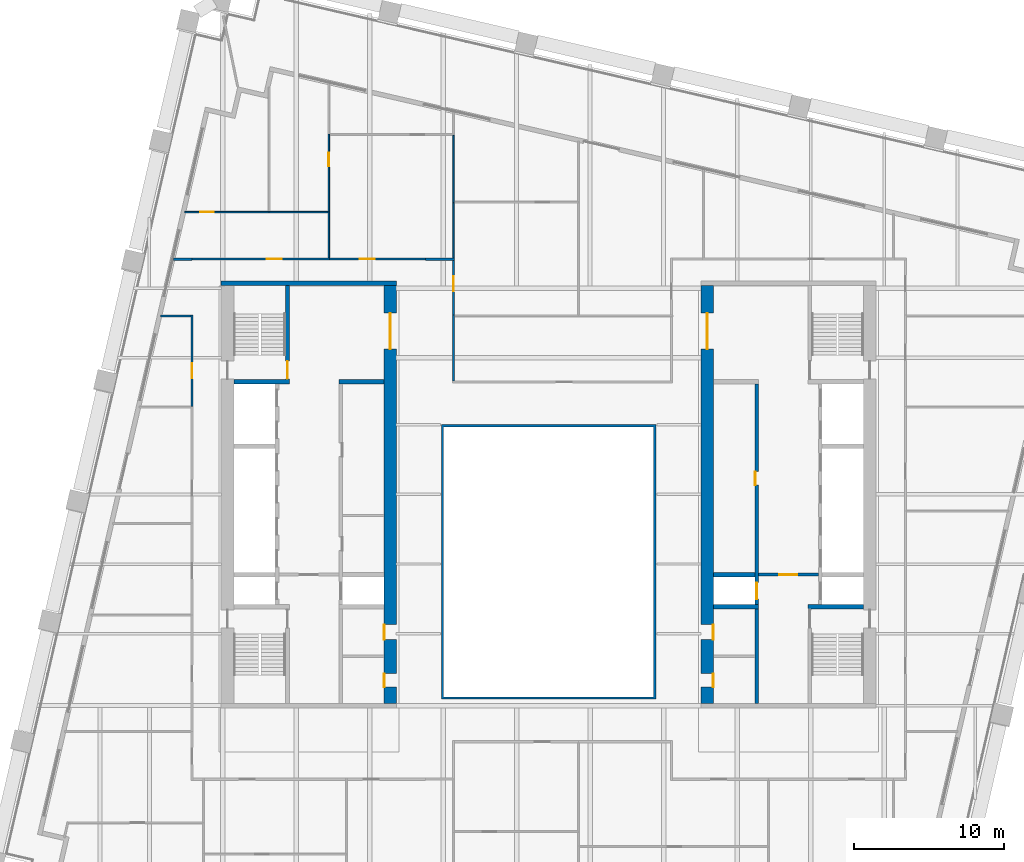
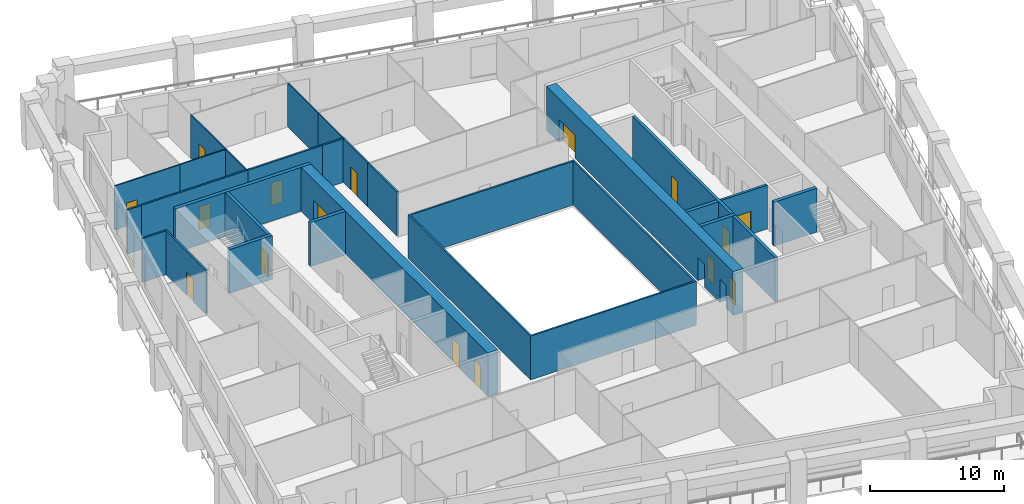
# One storey, part 7 of 12: 26 walls, 16 doors, 16 openings.
"""IFC4 building model written with IfcOpenShell, lengths in metres."""

from ifc_helpers import new_model, si_unit, direction, frame, frame_2d, origin, place, context, subcontext, project, spatial, polyline, rectangle, outline, extrude, material, layer, layer_set, type_object, element, fill, save


model = new_model("IFC4")

# Units and contexts
model_context = context("Model", 3, precision=1e-05, world=origin(), true_north=direction((0.0, 1.0)))
body_context = subcontext(model_context, "Body", "Model", "MODEL_VIEW")
ifc_project = project(units=[si_unit("LENGTHUNIT", "METRE"), si_unit("AREAUNIT", "SQUARE_METRE"), si_unit("VOLUMEUNIT", "CUBIC_METRE"), si_unit("PLANEANGLEUNIT", "RADIAN"), si_unit("MASSUNIT", "GRAM", prefix="KILO")], contexts=[model_context])

# Site, building, storey
site_placement = place(None, origin())
site = spatial("IfcSite", under=ifc_project, at=site_placement, CompositionType="ELEMENT")
building_placement = place(site_placement, origin())
building = spatial("IfcBuilding", under=site, at=building_placement, Name="Ogive Exchange Tower", CompositionType="ELEMENT")
storey_placement = place(building_placement, frame((0.0, 0.0, 130.800048828125)))
storey = spatial("IfcBuildingStorey", under=building, at=storey_placement, Name="L28", CompositionType="ELEMENT", Elevation=130.800048828125)

# Walls
ifc_material_1 = material(Name="Gypsum board partition")
ifc_layer_1 = layer(ifc_material_1, 0.300048828125)
ifc_layer_set_1 = layer_set([ifc_layer_1], Name="Core room partition 300 gypsum")
wall_type_1 = type_object("IfcWallType", Name="Core room partition 300 gypsum", PredefinedType="PARTITIONING", material=ifc_layer_set_1)
wall_1_placement = place(storey_placement, frame((-14.0, 19.0, 0.0), z_axis=(0.0, 0.0, 1.0), x_axis=(1.0, 0.0, 0.0)))
element("IfcWall", 1, at=wall_1_placement, inside=storey, type_object=wall_type_1, Name="W row B room end wall 7", PredefinedType="PARTITIONING", context=body_context, shape_type="SweptSolid", body=[
    extrude(rectangle(XDim=3.0, YDim=0.300048828125, at=frame_2d((1.5, 0.0))), origin(), (0.0, 0.0, 1.0), 4.0),
])
ifc_material_2 = material(Name="Fire partition EI 60 150")
ifc_layer_2 = layer(ifc_material_2, 0.14990234375)
ifc_layer_set_2 = layer_set([ifc_layer_2], Name="Fire partition EI 60 150")
wall_type_2 = type_object("IfcWallType", Name="Fire partition EI 60 150", PredefinedType="PARTITIONING", material=ifc_layer_set_2)
wall_2_placement = place(storey_placement, frame((-25.01708984375, 27.18994140625, 0.0), z_axis=(0.0, 0.0, 1.0), x_axis=(1.0, 0.0, 0.0)))
element("IfcWall", 2, at=wall_2_placement, inside=storey, type_object=wall_type_2, Name="L28-PWL-002", PredefinedType="PARTITIONING", context=body_context, shape_type="SweptSolid", body=[
    extrude(rectangle(XDim=1.217041015625, YDim=0.14990234375, at=frame_2d((0.6083984375, 0.0))), origin(), (0.0, 0.0, 1.0), 4.0),
])

# Wall, opening, door
wall_3_placement = place(storey_placement, frame((-23.800048828125, 17.3701171875, 0.0), z_axis=(0.0, 0.0, 1.0), x_axis=(0.0, 1.0, 0.0)))
wall_3 = element("IfcWall", 3, at=wall_3_placement, inside=storey, type_object=wall_type_2, Name="L28-PWL-011", PredefinedType="PARTITIONING", context=body_context, shape_type="SweptSolid", body=[
    extrude(rectangle(XDim=6.114990234375, YDim=0.14990234375, at=frame_2d((3.0576171875, 0.0))), origin(), (0.0, 0.0, 1.0), 4.0),
])
opening_1_placement = place(wall_3_placement, frame((1.889892578125, 0.0, 0.0)))
opening_1 = element("IfcOpeningElement", 4, at=opening_1_placement, cuts=wall_3, Name="Opening L28-I23", PredefinedType="OPENING", context=body_context, shape_type="SweptSolid", body=[
    extrude(rectangle(XDim=1.0, YDim=2.10009765625, at=frame_2d((0.5, 1.050048828125))), frame((0.0, 0.0849609375, 0.0), z_axis=(0.0, -1.0, 0.0), x_axis=(1.0, 0.0, 0.0)), (0.0, 0.0, 1.0), 0.169921875),
])
ifc_material_3 = material(Name="Fire door FD 30S 1000 x 2100")
door_type_1 = type_object("IfcDoorType", Name="Fire door FD 30S 1000 x 2100", OperationType="NOTDEFINED", PredefinedType="DOOR", material=ifc_material_3)
door_1_placement = place(opening_1_placement, origin())
door_1 = element("IfcDoor", 5, at=door_1_placement, inside=storey, type_object=door_type_1, Name="L28-IDR-023", ObjectType="DT3", OperationType="SINGLE_SWING_RIGHT", OverallHeight=2.10009765625, OverallWidth=1.0, PredefinedType="DOOR", context=body_context, shape_type="SweptSolid", body=[
    extrude(rectangle(XDim=1.0, YDim=2.10009765625, at=frame_2d((0.5, 1.050048828125))), frame((0.0, 0.02490234375, 0.0), z_axis=(0.0, -1.0, 0.0), x_axis=(1.0, 0.0, 0.0)), (0.0, 0.0, 1.0), 0.050048828125),
])
fill(opening_1, door_1)

# Wall
wall_4_placement = place(storey_placement, frame((-23.875, 23.409912109375, 0.0), z_axis=(0.0, 0.0, 1.0), x_axis=(-1.0, 0.0, 0.0)))
element("IfcWall", 6, at=wall_4_placement, inside=storey, type_object=wall_type_2, Name="L28-PWL-012", PredefinedType="PARTITIONING", context=body_context, shape_type="SweptSolid", body=[
    extrude(rectangle(XDim=2.014892578125, YDim=0.14990234375, at=frame_2d((1.00732421875, 0.0))), origin(), (0.0, 0.0, 1.0), 4.0),
])

# Wall, opening, door
wall_5_placement = place(storey_placement, frame((-23.800048828125, 27.199951171875, 0.0), z_axis=(0.0, 0.0, 1.0), x_axis=(1.0, 0.0, 0.0)))
wall_5 = element("IfcWall", 7, at=wall_5_placement, inside=storey, type_object=wall_type_2, Name="L28-PWL-013", PredefinedType="PARTITIONING", context=body_context, shape_type="SweptSolid", body=[
    extrude(rectangle(XDim=9.179931640625, YDim=0.14990234375, at=frame_2d((4.58984375, 0.0))), origin(), (0.0, 0.0, 1.0), 4.0),
])
opening_2_placement = place(wall_5_placement, frame((4.97998046875, 0.0, 0.0)))
opening_2 = element("IfcOpeningElement", 8, at=opening_2_placement, cuts=wall_5, Name="Opening L28-I22", PredefinedType="OPENING", context=body_context, shape_type="SweptSolid", body=[
    extrude(rectangle(XDim=1.0, YDim=2.10009765625, at=frame_2d((0.5, 1.050048828125))), frame((0.0, 0.0849609375, 0.0), z_axis=(0.0, -1.0, 0.0), x_axis=(1.0, 0.0, 0.0)), (0.0, 0.0, 1.0), 0.169921875),
])
door_2_placement = place(opening_2_placement, origin())
door_2 = element("IfcDoor", 9, at=door_2_placement, inside=storey, type_object=door_type_1, Name="L28-IDR-022", ObjectType="DT3", OperationType="SINGLE_SWING_LEFT", OverallHeight=2.10009765625, OverallWidth=1.0, PredefinedType="DOOR", context=body_context, shape_type="SweptSolid", body=[
    extrude(rectangle(XDim=1.0, YDim=2.10009765625, at=frame_2d((0.5, 1.050048828125))), frame((0.0, 0.02490234375, 0.0), z_axis=(0.0, -1.0, 0.0), x_axis=(1.0, 0.0, 0.0)), (0.0, 0.0, 1.0), 0.050048828125),
])
fill(opening_2, door_2)

wall_6_placement = place(storey_placement, frame((-14.6201171875, 27.199951171875, 0.0), z_axis=(0.0, 0.0, 1.0), x_axis=(1.0, 0.0, 0.0)))
wall_6 = element("IfcWall", 10, at=wall_6_placement, inside=storey, type_object=wall_type_2, Name="L28-PWL-026", PredefinedType="PARTITIONING", context=body_context, shape_type="SweptSolid", body=[
    extrude(rectangle(XDim=6.420166015625, YDim=0.14990234375, at=frame_2d((3.2099609375, 0.0))), origin(), (0.0, 0.0, 1.0), 4.0),
])
opening_3_placement = place(wall_6_placement, frame((2.02001953125, 0.0, 0.0)))
opening_3 = element("IfcOpeningElement", 11, at=opening_3_placement, cuts=wall_6, Name="Opening L28-I18", PredefinedType="OPENING", context=body_context, shape_type="SweptSolid", body=[
    extrude(rectangle(XDim=1.0, YDim=2.10009765625, at=frame_2d((0.5, 1.050048828125))), frame((0.0, 0.0849609375, 0.0), z_axis=(0.0, -1.0, 0.0), x_axis=(1.0, 0.0, 0.0)), (0.0, 0.0, 1.0), 0.169921875),
])
door_3_placement = place(opening_3_placement, origin())
door_3 = element("IfcDoor", 12, at=door_3_placement, inside=storey, type_object=door_type_1, Name="L28-IDR-018", ObjectType="DT3", OperationType="SINGLE_SWING_RIGHT", OverallHeight=2.10009765625, OverallWidth=1.0, PredefinedType="DOOR", context=body_context, shape_type="SweptSolid", body=[
    extrude(rectangle(XDim=1.0, YDim=2.10009765625, at=frame_2d((0.5, 1.050048828125))), frame((0.0, 0.02490234375, 0.0), z_axis=(0.0, -1.0, 0.0), x_axis=(1.0, 0.0, 0.0)), (0.0, 0.0, 1.0), 0.050048828125),
])
fill(opening_3, door_3)

# Walls
wall_7_placement = place(storey_placement, frame((-8.199951171875, 27.18994140625, 0.0), z_axis=(0.0, 0.0, 1.0), x_axis=(1.0, 0.0, 0.0)))
element("IfcWall", 13, at=wall_7_placement, inside=storey, type_object=wall_type_2, Name="L28-PWL-036", PredefinedType="PARTITIONING", context=body_context, shape_type="SweptSolid", body=[
    extrude(rectangle(XDim=1.93505859375, YDim=0.14990234375, at=frame_2d((0.967529296875, 0.0))), origin(), (0.0, 0.0, 1.0), 4.0),
])
wall_8_placement = place(storey_placement, frame((-6.340087890625, 23.4599609375, 0.0), z_axis=(0.0, 0.0, 1.0), x_axis=(0.0, -1.0, 0.0)))
element("IfcWall", 14, at=wall_8_placement, inside=storey, type_object=wall_type_2, Name="L28-PWL-044", PredefinedType="PARTITIONING", context=body_context, shape_type="SweptSolid", body=[
    extrude(rectangle(XDim=4.385009765625, YDim=0.14990234375, at=frame_2d((2.1923828125, 0.0))), origin(), (0.0, 0.0, 1.0), 4.0),
])

# Wall, opening, door
wall_9_placement = place(storey_placement, frame((-6.340087890625, 27.114990234375, 0.0), z_axis=(0.0, 0.0, 1.0), x_axis=(0.0, -1.0, 0.0)))
wall_9 = element("IfcWall", 15, at=wall_9_placement, inside=storey, type_object=wall_type_2, Name="L28-PWL-046", PredefinedType="PARTITIONING", context=body_context, shape_type="SweptSolid", body=[
    extrude(rectangle(XDim=3.655029296875, YDim=0.14990234375, at=frame_2d((1.82763671875, 0.0))), origin(), (0.0, 0.0, 1.0), 4.0),
])
opening_4_placement = place(wall_9_placement, frame((1.054931640625, 0.0, 0.0)))
opening_4 = element("IfcOpeningElement", 16, at=opening_4_placement, cuts=wall_9, Name="Opening L28-I14", PredefinedType="OPENING", context=body_context, shape_type="SweptSolid", body=[
    extrude(rectangle(XDim=1.0, YDim=2.10009765625, at=frame_2d((0.5, 1.050048828125))), frame((0.0, 0.0849609375, 0.0), z_axis=(0.0, -1.0, 0.0), x_axis=(1.0, 0.0, 0.0)), (0.0, 0.0, 1.0), 0.169921875),
])
door_4_placement = place(opening_4_placement, origin())
door_4 = element("IfcDoor", 17, at=door_4_placement, inside=storey, type_object=door_type_1, Name="L28-IDR-014", ObjectType="DT3", OperationType="SINGLE_SWING_LEFT", OverallHeight=2.10009765625, OverallWidth=1.0, PredefinedType="DOOR", context=body_context, shape_type="SweptSolid", body=[
    extrude(rectangle(XDim=1.0, YDim=2.10009765625, at=frame_2d((0.5, 1.050048828125))), frame((0.0, 0.02490234375, 0.0), z_axis=(0.0, -1.0, 0.0), x_axis=(1.0, 0.0, 0.0)), (0.0, 0.0, 1.0), 0.050048828125),
])
fill(opening_4, door_4)

# Wall
ifc_material_4 = material(Name="Fire-resisting glass in steel frame", Category="steel")
ifc_layer_3 = layer(ifc_material_4, 0.14990234375)
ifc_layer_set_3 = layer_set([ifc_layer_3], Name="Fire-rated glazed wall 150")
wall_type_3 = type_object("IfcWallType", Name="Fire-rated glazed wall 150", PredefinedType="STANDARD", material=ifc_layer_set_3)
wall_10_placement = place(storey_placement, origin())
element("IfcWall", 18, at=wall_10_placement, inside=storey, type_object=wall_type_3, Name="Nave enclosure wall", PredefinedType="STANDARD", context=body_context, shape_type="SweptSolid", body=[
    extrude(outline(polyline([(-7.14990234375, -2.14990234375), (7.14990234375, -2.14990234375), (7.14990234375, 16.14990234375), (-7.14990234375, 16.14990234375), (-7.14990234375, -2.14990234375)]), holes=[polyline([(-7.0, -2.0), (-7.0, 16.0), (7.0, 16.0), (7.0, -2.0), (-7.0, -2.0)])]), origin(), (0.0, 0.0, 1.0), 4.0),
])

# Wall, opening, door
ifc_material_5 = material(Name="Partition 100 gypsum")
ifc_layer_4 = layer(ifc_material_5, 0.10009765625)
ifc_layer_set_4 = layer_set([ifc_layer_4], Name="Partition 100 gypsum")
wall_type_4 = type_object("IfcWallType", Name="Partition 100 gypsum", PredefinedType="PARTITIONING", material=ifc_layer_set_4)
wall_11_placement = place(storey_placement, frame((-18.60009765625, 30.340087890625, 0.0), z_axis=(0.0, 0.0, 1.0), x_axis=(-1.0, 0.0, 0.0)))
wall_11 = element("IfcWall", 19, at=wall_11_placement, inside=storey, type_object=wall_type_4, Name="L28-PWL-023", PredefinedType="PARTITIONING", context=body_context, shape_type="SweptSolid", body=[
    extrude(rectangle(XDim=5.68994140625, YDim=0.10009765625, at=frame_2d((2.844970703125, 0.0))), origin(), (0.0, 0.0, 1.0), 4.0),
])
opening_5_placement = place(wall_11_placement, frame((3.75, 0.0, 0.0)))
opening_5 = element("IfcOpeningElement", 20, at=opening_5_placement, cuts=wall_11, Name="Opening L28-I21", PredefinedType="OPENING", context=body_context, shape_type="SweptSolid", body=[
    extrude(rectangle(XDim=0.89990234375, YDim=2.10009765625, at=frame_2d((0.449951171875, 1.050048828125))), frame((0.0, 0.06005859375, 0.0), z_axis=(0.0, -1.0, 0.0), x_axis=(1.0, 0.0, 0.0)), (0.0, 0.0, 1.0), 0.1201171875),
])
ifc_material_6 = material(Name="Door 900 x 2100")
door_type_2 = type_object("IfcDoorType", Name="Door 900 x 2100", OperationType="NOTDEFINED", PredefinedType="DOOR", material=ifc_material_6)
door_5_placement = place(opening_5_placement, origin())
door_5 = element("IfcDoor", 21, at=door_5_placement, inside=storey, type_object=door_type_2, Name="L28-IDR-021", ObjectType="DT1", OperationType="SINGLE_SWING_LEFT", OverallHeight=2.10009765625, OverallWidth=0.89990234375, PredefinedType="DOOR", context=body_context, shape_type="SweptSolid", body=[
    extrude(rectangle(XDim=0.89990234375, YDim=2.10009765625, at=frame_2d((0.449951171875, 1.050048828125))), frame((0.0, 0.02490234375, 0.0), z_axis=(0.0, -1.0, 0.0), x_axis=(1.0, 0.0, 0.0)), (0.0, 0.0, 1.0), 0.050048828125),
])
fill(opening_5, door_5)

# Walls
wall_12_placement = place(storey_placement, frame((-14.669921875, 27.27490234375, 0.0), z_axis=(0.0, 0.0, 1.0), x_axis=(0.0, 1.0, 0.0)))
element("IfcWall", 22, at=wall_12_placement, inside=storey, type_object=wall_type_4, Name="L28-PWL-025", PredefinedType="PARTITIONING", context=body_context, shape_type="SweptSolid", body=[
    extrude(rectangle(XDim=3.065185546875, YDim=0.10009765625, at=frame_2d((1.53271484375, 0.0))), origin(), (0.0, 0.0, 1.0), 4.0),
])
wall_13_placement = place(storey_placement, frame((-14.719970703125, 30.340087890625, 0.0), z_axis=(0.0, 0.0, 1.0), x_axis=(-1.0, 0.0, 0.0)))
element("IfcWall", 23, at=wall_13_placement, inside=storey, type_object=wall_type_4, Name="L28-PWL-027", PredefinedType="PARTITIONING", context=body_context, shape_type="SweptSolid", body=[
    extrude(rectangle(XDim=3.929931640625, YDim=0.10009765625, at=frame_2d((1.96484375, 0.0))), origin(), (0.0, 0.0, 1.0), 4.0),
])

# Wall, opening, door
wall_14_placement = place(storey_placement, frame((-14.669921875, 30.340087890625, 0.0), z_axis=(0.0, 0.0, 1.0), x_axis=(0.0, 1.0, 0.0)))
wall_14 = element("IfcWall", 24, at=wall_14_placement, inside=storey, type_object=wall_type_4, Name="L28-PWL-028", PredefinedType="PARTITIONING", context=body_context, shape_type="SweptSolid", body=[
    extrude(rectangle(XDim=5.2099609375, YDim=0.10009765625, at=frame_2d((2.60498046875, 0.0))), origin(), (0.0, 0.0, 1.0), 4.0),
])
opening_6_placement = place(wall_14_placement, frame((3.06005859375, 0.0, 0.0)))
opening_6 = element("IfcOpeningElement", 25, at=opening_6_placement, cuts=wall_14, Name="Opening L28-I20", PredefinedType="OPENING", context=body_context, shape_type="SweptSolid", body=[
    extrude(rectangle(XDim=0.89990234375, YDim=2.10009765625, at=frame_2d((0.449951171875, 1.050048828125))), frame((0.0, 0.06005859375, 0.0), z_axis=(0.0, -1.0, 0.0), x_axis=(1.0, 0.0, 0.0)), (0.0, 0.0, 1.0), 0.1201171875),
])
door_6_placement = place(opening_6_placement, origin())
door_6 = element("IfcDoor", 26, at=door_6_placement, inside=storey, type_object=door_type_2, Name="L28-IDR-020", ObjectType="DT1", OperationType="SINGLE_SWING_RIGHT", OverallHeight=2.10009765625, OverallWidth=0.89990234375, PredefinedType="DOOR", context=body_context, shape_type="SweptSolid", body=[
    extrude(rectangle(XDim=0.89990234375, YDim=2.10009765625, at=frame_2d((0.449951171875, 1.050048828125))), frame((0.0, 0.02490234375, 0.0), z_axis=(0.0, -1.0, 0.0), x_axis=(1.0, 0.0, 0.0)), (0.0, 0.0, 1.0), 0.050048828125),
])
fill(opening_6, door_6)

# Walls
wall_15_placement = place(storey_placement, frame((-6.340087890625, 27.264892578125, 0.0), z_axis=(0.0, 0.0, 1.0), x_axis=(0.0, 1.0, 0.0)))
element("IfcWall", 27, at=wall_15_placement, inside=storey, type_object=wall_type_4, Name="L28-PWL-047", PredefinedType="PARTITIONING", context=body_context, shape_type="SweptSolid", body=[
    extrude(rectangle(XDim=3.68505859375, YDim=0.10009765625, at=frame_2d((1.842529296875, 0.0))), origin(), (0.0, 0.0, 1.0), 4.0),
])
wall_16_placement = place(storey_placement, frame((-6.340087890625, 30.949951171875, 0.0), z_axis=(0.0, 0.0, 1.0), x_axis=(0.0, 1.0, 0.0)))
element("IfcWall", 28, at=wall_16_placement, inside=storey, type_object=wall_type_4, Name="L28-PWL-048", PredefinedType="PARTITIONING", context=body_context, shape_type="SweptSolid", body=[
    extrude(rectangle(XDim=4.5, YDim=0.10009765625, at=frame_2d((2.25, 0.0))), origin(), (0.0, 0.0, 1.0), 4.0),
])

# Wall, opening, door
ifc_material_7 = material(Name="Concrete C70/85", Category="concrete")
ifc_layer_5 = layer(ifc_material_7, 0.199951171875)
ifc_layer_set_5 = layer_set([ifc_layer_5], Name="RC core wall 200 C70/85")
wall_type_5 = type_object("IfcWallType", Name="RC core wall 200 C70/85", PredefinedType="SHEAR", material=ifc_layer_set_5)
wall_17_placement = place(storey_placement, frame((14.0, 6.142822265625, 0.0), z_axis=(0.0, 0.0, 1.0), x_axis=(1.0, 0.0, 0.0)))
wall_17 = element("IfcWall", 29, at=wall_17_placement, inside=storey, type_object=wall_type_5, Name="E firefighting lobby wall", PredefinedType="SHEAR", context=body_context, shape_type="SweptSolid", body=[
    extrude(rectangle(XDim=4.0, YDim=0.199951171875, at=frame_2d((2.0, 0.0))), origin(), (0.0, 0.0, 1.0), 4.0),
])
opening_7_placement = place(wall_17_placement, frame((1.39990234375, 0.0, 0.0)))
opening_7 = element("IfcOpeningElement", 30, at=opening_7_placement, cuts=wall_17, Name="Opening L28-C28", PredefinedType="OPENING", context=body_context, shape_type="SweptSolid", body=[
    extrude(rectangle(XDim=1.199951171875, YDim=2.10009765625, at=frame_2d((0.60009765625, 1.050048828125))), frame((0.0, 0.10986328125, 0.0), z_axis=(0.0, -1.0, 0.0), x_axis=(1.0, 0.0, 0.0)), (0.0, 0.0, 1.0), 0.219970703125),
])
ifc_material_8 = material(Name="Steel fire door", Category="steel")
door_type_3 = type_object("IfcDoorType", Name="Firefighting lobby door FD60 1200 x 2100", OperationType="NOTDEFINED", PredefinedType="DOOR", material=ifc_material_8)
door_7_placement = place(opening_7_placement, frame((1.199951171875, 0.0, 0.0), z_axis=(0.0, 0.0, 1.0), x_axis=(-1.0, 0.0, 0.0)))
door_7 = element("IfcDoor", 31, at=door_7_placement, inside=storey, type_object=door_type_3, Name="Firefighting lobby door", ObjectType="CD3", OperationType="SINGLE_SWING_RIGHT", OverallHeight=2.10009765625, OverallWidth=1.199951171875, PredefinedType="DOOR", context=body_context, shape_type="SweptSolid", body=[
    extrude(rectangle(XDim=1.199951171875, YDim=2.10009765625, at=frame_2d((0.60009765625, 1.050048828125))), frame((0.0, 0.02490234375, 0.0), z_axis=(0.0, -1.0, 0.0), x_axis=(1.0, 0.0, 0.0)), (0.0, 0.0, 1.0), 0.050048828125),
])
fill(opening_7, door_7)

ifc_layer_6 = layer(ifc_material_7, 0.25)
ifc_layer_set_6 = layer_set([ifc_layer_6], Name="RC core wall 250 C70/85")
wall_type_6 = type_object("IfcWallType", Name="RC core wall 250 C70/85", PredefinedType="SHEAR", material=ifc_layer_set_6)
wall_18_placement = place(storey_placement, frame((-17.425048828125, 19.14990234375, 0.0), z_axis=(0.0, 0.0, 1.0), x_axis=(0.0, 1.0, 0.0)))
wall_18 = element("IfcWall", 32, at=wall_18_placement, inside=storey, type_object=wall_type_6, Name="W stair N front wall", PredefinedType="SHEAR", context=body_context, shape_type="SweptSolid", body=[
    extrude(rectangle(XDim=6.300048828125, YDim=0.25, at=frame_2d((3.14990234375, 0.0))), origin(), (0.0, 0.0, 1.0), 4.0),
])
opening_8_placement = place(wall_18_placement, frame((0.050048828125, 0.0, 0.0)))
opening_8 = element("IfcOpeningElement", 33, at=opening_8_placement, cuts=wall_18, Name="Opening L28-C15", PredefinedType="OPENING", context=body_context, shape_type="SweptSolid", body=[
    extrude(rectangle(XDim=1.199951171875, YDim=2.10009765625, at=frame_2d((0.60009765625, 1.050048828125))), frame((0.0, 0.135009765625, 0.0), z_axis=(0.0, -1.0, 0.0), x_axis=(1.0, 0.0, 0.0)), (0.0, 0.0, 1.0), 0.27001953125),
])
door_type_4 = type_object("IfcDoorType", Name="Stair door FD90 1200 x 2100", OperationType="NOTDEFINED", PredefinedType="DOOR", material=ifc_material_8)
door_8_placement = place(opening_8_placement, origin())
door_8 = element("IfcDoor", 34, at=door_8_placement, inside=storey, type_object=door_type_4, Name="Stair door", ObjectType="CD5", OperationType="SINGLE_SWING_RIGHT", OverallHeight=2.10009765625, OverallWidth=1.199951171875, PredefinedType="DOOR", context=body_context, shape_type="SweptSolid", body=[
    extrude(rectangle(XDim=1.199951171875, YDim=2.10009765625, at=frame_2d((0.60009765625, 1.050048828125))), frame((0.0, 0.02490234375, 0.0), z_axis=(0.0, -1.0, 0.0), x_axis=(1.0, 0.0, 0.0)), (0.0, 0.0, 1.0), 0.050048828125),
])
fill(opening_8, door_8)

# Wall, openings, doors
wall_19_placement = place(storey_placement, frame((13.875, -2.449951171875, 0.0), z_axis=(0.0, 0.0, 1.0), x_axis=(0.0, 1.0, 0.0)))
wall_19 = element("IfcWall", 35, at=wall_19_placement, inside=storey, type_object=wall_type_6, Name="E row B front wall", PredefinedType="SHEAR", context=body_context, shape_type="SweptSolid", body=[
    extrude(rectangle(XDim=21.300048828125, YDim=0.25, at=frame_2d((10.64990234375, 0.0))), origin(), (0.0, 0.0, 1.0), 4.0),
])
opening_9_placement = place(wall_19_placement, frame((14.5712890625, 0.0, 0.0)))
opening_9 = element("IfcOpeningElement", 36, at=opening_9_placement, cuts=wall_19, Name="Opening L28-C26", PredefinedType="OPENING", context=body_context, shape_type="SweptSolid", body=[
    extrude(rectangle(XDim=0.89990234375, YDim=2.10009765625, at=frame_2d((0.449951171875, 1.050048828125))), frame((0.0, 0.135009765625, 0.0), z_axis=(0.0, -1.0, 0.0), x_axis=(1.0, 0.0, 0.0)), (0.0, 0.0, 1.0), 0.27001953125),
])
opening_10_placement = place(wall_19_placement, frame((6.971435546875, 0.0, 0.0)))
opening_10 = element("IfcOpeningElement", 37, at=opening_10_placement, cuts=wall_19, Name="Opening L28-C27", PredefinedType="OPENING", context=body_context, shape_type="SweptSolid", body=[
    extrude(rectangle(XDim=1.10009765625, YDim=2.10009765625, at=frame_2d((0.550048828125, 1.050048828125))), frame((0.0, 0.135009765625, 0.0), z_axis=(0.0, -1.0, 0.0), x_axis=(1.0, 0.0, 0.0)), (0.0, 0.0, 1.0), 0.27001953125),
])
ifc_material_9 = material(Name="Stainless steel", Category="steel")
door_type_5 = type_object("IfcDoorType", Name="Lift landing door FD90 1100 x 2100", OperationType="SLIDING_TO_LEFT", PredefinedType="DOOR", material=ifc_material_9)
door_9_placement = place(opening_10_placement, origin())
door_9 = element("IfcDoor", 38, at=door_9_placement, inside=storey, type_object=door_type_5, Name="Lift landing door SV2", ObjectType="LD", OperationType="SLIDING_TO_LEFT", OverallHeight=2.10009765625, OverallWidth=1.10009765625, PredefinedType="DOOR", context=body_context, shape_type="SweptSolid", body=[
    extrude(rectangle(XDim=1.10009765625, YDim=2.10009765625, at=frame_2d((0.550048828125, 1.050048828125))), frame((0.0, 0.02490234375, 0.0), z_axis=(0.0, -1.0, 0.0), x_axis=(1.0, 0.0, 0.0)), (0.0, 0.0, 1.0), 0.050048828125),
])
fill(opening_10, door_9)
door_type_6 = type_object("IfcDoorType", Name="Riser door FD60 900 x 2100", OperationType="NOTDEFINED", PredefinedType="DOOR", material=ifc_material_8)
door_10_placement = place(opening_9_placement, origin())
door_10 = element("IfcDoor", 39, at=door_10_placement, inside=storey, type_object=door_type_6, Name="Riser door", ObjectType="CD2", OperationType="SINGLE_SWING_RIGHT", OverallHeight=2.10009765625, OverallWidth=0.89990234375, PredefinedType="DOOR", context=body_context, shape_type="SweptSolid", body=[
    extrude(rectangle(XDim=0.89990234375, YDim=2.10009765625, at=frame_2d((0.449951171875, 1.050048828125))), frame((0.0, 0.125, 0.0), z_axis=(0.0, -1.0, 0.0), x_axis=(1.0, 0.0, 0.0)), (0.0, 0.0, 1.0), 0.050048828125),
])
fill(opening_9, door_10)

# Walls
ifc_layer_7 = layer(ifc_material_7, 0.300048828125)
ifc_layer_set_7 = layer_set([ifc_layer_7], Name="RC core wall 300 C70/85")
wall_type_7 = type_object("IfcWallType", Name="RC core wall 300 C70/85", PredefinedType="SHEAR", material=ifc_layer_set_7)
wall_20_placement = place(storey_placement, frame((-21.85009765625, 25.60009765625, 0.0), z_axis=(0.0, 0.0, 1.0), x_axis=(1.0, 0.0, 0.0)))
element("IfcWall", 40, at=wall_20_placement, inside=storey, type_object=wall_type_7, Name="W north end wall", PredefinedType="SHEAR", context=body_context, shape_type="SweptSolid", body=[
    extrude(rectangle(XDim=11.7001953125, YDim=0.300048828125, at=frame_2d((5.85009765625, 0.0))), origin(), (0.0, 0.0, 1.0), 4.0),
])
for number, where, z_axis, x_axis, name in (
    (41, (-21.0, 19.0, 0.0), (0.0, 0.0, 1.0), (1.0, 0.0, 0.0), "W stair N south wall"),
    (42, (17.300048828125, 4.0, 0.0), (0.0, 0.0, 1.0), (1.0, 0.0, 0.0), "E stair S north wall"),
):
    element("IfcWall", number, at=place(storey_placement, frame(where, z_axis=z_axis, x_axis=x_axis)), inside=storey, type_object=wall_type_7, Name=name, PredefinedType="SHEAR", context=body_context, shape_type="SweptSolid", body=[
        extrude(rectangle(XDim=3.699951171875, YDim=0.300048828125, at=frame_2d((1.85009765625, 0.0))), origin(), (0.0, 0.0, 1.0), 4.0),
    ])
wall_21_placement = place(storey_placement, frame((11.0, 4.0, 0.0), z_axis=(0.0, 0.0, 1.0), x_axis=(1.0, 0.0, 0.0)))
element("IfcWall", 43, at=wall_21_placement, inside=storey, type_object=wall_type_7, Name="E row B divider 0", PredefinedType="SHEAR", context=body_context, shape_type="SweptSolid", body=[
    extrude(rectangle(XDim=3.0, YDim=0.300048828125, at=frame_2d((1.5, 0.0))), origin(), (0.0, 0.0, 1.0), 4.0),
])
wall_22_placement = place(storey_placement, frame((11.0, 6.142822265625, 0.0), z_axis=(0.0, 0.0, 1.0), x_axis=(1.0, 0.0, 0.0)))
element("IfcWall", 44, at=wall_22_placement, inside=storey, type_object=wall_type_7, Name="E row B divider 1", PredefinedType="SHEAR", context=body_context, shape_type="SweptSolid", body=[
    extrude(rectangle(XDim=2.75, YDim=0.300048828125, at=frame_2d((1.375, 0.0))), origin(), (0.0, 0.0, 1.0), 4.0),
])

# Wall, openings, doors
ifc_layer_8 = layer(ifc_material_7, 0.85009765625)
ifc_layer_set_8 = layer_set([ifc_layer_8], Name="RC core wall 850 C70/85")
wall_type_8 = type_object("IfcWallType", Name="RC core wall 850 C70/85", PredefinedType="SHEAR", material=ifc_layer_set_8)
wall_23_placement = place(storey_placement, frame((-10.574951171875, -2.449951171875, 0.0), z_axis=(0.0, 0.0, 1.0), x_axis=(0.0, 1.0, 0.0)))
wall_23 = element("IfcWall", 45, at=wall_23_placement, inside=storey, type_object=wall_type_8, Name="W inner wall", PredefinedType="SHEAR", context=body_context, shape_type="SweptSolid", body=[
    extrude(rectangle(XDim=27.89990234375, YDim=0.85009765625, at=frame_2d((13.949951171875, 0.0))), origin(), (0.0, 0.0, 1.0), 4.0),
])
opening_11_placement = place(wall_23_placement, frame((23.64990234375, 0.0, 0.0)))
opening_11 = element("IfcOpeningElement", 46, at=opening_11_placement, cuts=wall_23, Name="Opening L28-C12", PredefinedType="OPENING", context=body_context, shape_type="SweptSolid", body=[
    extrude(rectangle(XDim=2.39990234375, YDim=2.10009765625, at=frame_2d((1.199951171875, 1.050048828125))), frame((0.0, 0.43505859375, 0.0), z_axis=(0.0, -1.0, 0.0), x_axis=(1.0, 0.0, 0.0)), (0.0, 0.0, 1.0), 0.8701171875),
])
opening_12_placement = place(wall_23_placement, frame((1.08740234375, 0.0, 0.0)))
opening_12 = element("IfcOpeningElement", 47, at=opening_12_placement, cuts=wall_23, Name="Opening L28-C17", PredefinedType="OPENING", context=body_context, shape_type="SweptSolid", body=[
    extrude(rectangle(XDim=0.89990234375, YDim=2.10009765625, at=frame_2d((0.449951171875, 1.050048828125))), frame((0.0, 0.43505859375, 0.0), z_axis=(0.0, -1.0, 0.0), x_axis=(1.0, 0.0, 0.0)), (0.0, 0.0, 1.0), 0.8701171875),
])
opening_13_placement = place(wall_23_placement, frame((4.262451171875, 0.0, 0.0)))
opening_13 = element("IfcOpeningElement", 48, at=opening_13_placement, cuts=wall_23, Name="Opening L28-C18", PredefinedType="OPENING", context=body_context, shape_type="SweptSolid", body=[
    extrude(rectangle(XDim=1.0, YDim=2.10009765625, at=frame_2d((0.5, 1.050048828125))), frame((0.0, 0.43505859375, 0.0), z_axis=(0.0, -1.0, 0.0), x_axis=(1.0, 0.0, 0.0)), (0.0, 0.0, 1.0), 0.8701171875),
])
ifc_material_10 = material(Name="Timber fire door", Category="wood")
door_type_7 = type_object("IfcDoorType", Name="Accessible WC door FD30S 1000 x 2100", OperationType="NOTDEFINED", PredefinedType="DOOR", material=ifc_material_10)
door_11_placement = place(opening_13_placement, origin())
door_11 = element("IfcDoor", 49, at=door_11_placement, inside=storey, type_object=door_type_7, Name="Accessible WC door", ObjectType="CD7", OperationType="SINGLE_SWING_RIGHT", OverallHeight=2.10009765625, OverallWidth=1.0, PredefinedType="DOOR", context=body_context, shape_type="SweptSolid", body=[
    extrude(rectangle(XDim=1.0, YDim=2.10009765625, at=frame_2d((0.5, 1.050048828125))), frame((0.0, 0.4248046875, 0.0), z_axis=(0.0, -1.0, 0.0), x_axis=(1.0, 0.0, 0.0)), (0.0, 0.0, 1.0), 0.050048828125),
])
fill(opening_13, door_11)
door_type_8 = type_object("IfcDoorType", Name="Core room door FD30S 900 x 2100", OperationType="NOTDEFINED", PredefinedType="DOOR", material=ifc_material_10)
door_12_placement = place(opening_12_placement, origin())
door_12 = element("IfcDoor", 50, at=door_12_placement, inside=storey, type_object=door_type_8, Name="Core room door", ObjectType="CD6", OperationType="SINGLE_SWING_LEFT", OverallHeight=2.10009765625, OverallWidth=0.89990234375, PredefinedType="DOOR", context=body_context, shape_type="SweptSolid", body=[
    extrude(rectangle(XDim=0.89990234375, YDim=2.10009765625, at=frame_2d((0.449951171875, 1.050048828125))), frame((0.0, 0.4248046875, 0.0), z_axis=(0.0, -1.0, 0.0), x_axis=(1.0, 0.0, 0.0)), (0.0, 0.0, 1.0), 0.050048828125),
])
fill(opening_12, door_12)
ifc_material_11 = material(Name="Glazed steel fire door", Category="steel")
door_type_9 = type_object("IfcDoorType", Name="Lift lobby double door FD60 2400 x 2100", OperationType="DOUBLE_DOOR_SINGLE_SWING", PredefinedType="DOOR", material=ifc_material_11)
door_13_placement = place(opening_11_placement, origin())
door_13 = element("IfcDoor", 51, at=door_13_placement, inside=storey, type_object=door_type_9, Name="Lift lobby double door", ObjectType="CD4", OperationType="DOUBLE_DOOR_SINGLE_SWING", OverallHeight=2.10009765625, OverallWidth=2.39990234375, PredefinedType="DOOR", context=body_context, shape_type="SweptSolid", body=[
    extrude(rectangle(XDim=2.39990234375, YDim=2.10009765625, at=frame_2d((1.199951171875, 1.050048828125))), frame((0.0, 0.02490234375, 0.0), z_axis=(0.0, -1.0, 0.0), x_axis=(1.0, 0.0, 0.0)), (0.0, 0.0, 1.0), 0.050048828125),
])
fill(opening_11, door_13)

wall_24_placement = place(storey_placement, frame((10.574951171875, -2.449951171875, 0.0), z_axis=(0.0, 0.0, 1.0), x_axis=(0.0, 1.0, 0.0)))
wall_24 = element("IfcWall", 52, at=wall_24_placement, inside=storey, type_object=wall_type_8, Name="E inner wall", PredefinedType="SHEAR", context=body_context, shape_type="SweptSolid", body=[
    extrude(rectangle(XDim=27.89990234375, YDim=0.85009765625, at=frame_2d((13.949951171875, 0.0))), origin(), (0.0, 0.0, 1.0), 4.0),
])
opening_14_placement = place(wall_24_placement, frame((23.64990234375, 0.0, 0.0)))
opening_14 = element("IfcOpeningElement", 53, at=opening_14_placement, cuts=wall_24, Name="Opening L28-C29", PredefinedType="OPENING", context=body_context, shape_type="SweptSolid", body=[
    extrude(rectangle(XDim=2.39990234375, YDim=2.10009765625, at=frame_2d((1.199951171875, 1.050048828125))), frame((0.0, 0.43505859375, 0.0), z_axis=(0.0, -1.0, 0.0), x_axis=(1.0, 0.0, 0.0)), (0.0, 0.0, 1.0), 0.8701171875),
])
opening_15_placement = place(wall_24_placement, frame((1.08740234375, 0.0, 0.0)))
opening_15 = element("IfcOpeningElement", 54, at=opening_15_placement, cuts=wall_24, Name="Opening L28-C34", PredefinedType="OPENING", context=body_context, shape_type="SweptSolid", body=[
    extrude(rectangle(XDim=0.89990234375, YDim=2.10009765625, at=frame_2d((0.449951171875, 1.050048828125))), frame((0.0, 0.43505859375, 0.0), z_axis=(0.0, -1.0, 0.0), x_axis=(1.0, 0.0, 0.0)), (0.0, 0.0, 1.0), 0.8701171875),
])
opening_16_placement = place(wall_24_placement, frame((4.262451171875, 0.0, 0.0)))
opening_16 = element("IfcOpeningElement", 55, at=opening_16_placement, cuts=wall_24, Name="Opening L28-C35", PredefinedType="OPENING", context=body_context, shape_type="SweptSolid", body=[
    extrude(rectangle(XDim=1.0, YDim=2.10009765625, at=frame_2d((0.5, 1.050048828125))), frame((0.0, 0.43505859375, 0.0), z_axis=(0.0, -1.0, 0.0), x_axis=(1.0, 0.0, 0.0)), (0.0, 0.0, 1.0), 0.8701171875),
])
door_14_placement = place(opening_16_placement, frame((1.0, -0.7998046875, 0.0), z_axis=(0.0, 0.0, 1.0), x_axis=(-1.0, 0.0, 0.0)))
door_14 = element("IfcDoor", 56, at=door_14_placement, inside=storey, type_object=door_type_7, Name="Accessible WC door", ObjectType="CD7", OperationType="SINGLE_SWING_RIGHT", OverallHeight=2.10009765625, OverallWidth=1.0, PredefinedType="DOOR", context=body_context, shape_type="SweptSolid", body=[
    extrude(rectangle(XDim=1.0, YDim=2.10009765625, at=frame_2d((0.5, 1.050048828125))), frame((0.0, -0.375, 0.0), z_axis=(0.0, -1.0, 0.0), x_axis=(1.0, 0.0, 0.0)), (0.0, 0.0, 1.0), 0.050048828125),
])
fill(opening_16, door_14)
door_15_placement = place(opening_15_placement, frame((0.89990234375, -0.7998046875, 0.0), z_axis=(0.0, 0.0, 1.0), x_axis=(-1.0, 0.0, 0.0)))
door_15 = element("IfcDoor", 57, at=door_15_placement, inside=storey, type_object=door_type_8, Name="Core room door", ObjectType="CD6", OperationType="SINGLE_SWING_RIGHT", OverallHeight=2.10009765625, OverallWidth=0.89990234375, PredefinedType="DOOR", context=body_context, shape_type="SweptSolid", body=[
    extrude(rectangle(XDim=0.89990234375, YDim=2.10009765625, at=frame_2d((0.449951171875, 1.050048828125))), frame((0.0, -0.375, 0.0), z_axis=(0.0, -1.0, 0.0), x_axis=(1.0, 0.0, 0.0)), (0.0, 0.0, 1.0), 0.050048828125),
])
fill(opening_15, door_15)
door_16_placement = place(opening_14_placement, frame((2.39990234375, 0.0, 0.0), z_axis=(0.0, 0.0, 1.0), x_axis=(-1.0, 0.0, 0.0)))
door_16 = element("IfcDoor", 58, at=door_16_placement, inside=storey, type_object=door_type_9, Name="Lift lobby double door", ObjectType="CD4", OperationType="DOUBLE_DOOR_SINGLE_SWING", OverallHeight=2.10009765625, OverallWidth=2.39990234375, PredefinedType="DOOR", context=body_context, shape_type="SweptSolid", body=[
    extrude(rectangle(XDim=2.39990234375, YDim=2.10009765625, at=frame_2d((1.199951171875, 1.050048828125))), frame((0.0, 0.02490234375, 0.0), z_axis=(0.0, -1.0, 0.0), x_axis=(1.0, 0.0, 0.0)), (0.0, 0.0, 1.0), 0.050048828125),
])
fill(opening_14, door_16)

save(model, "model.ifc")
